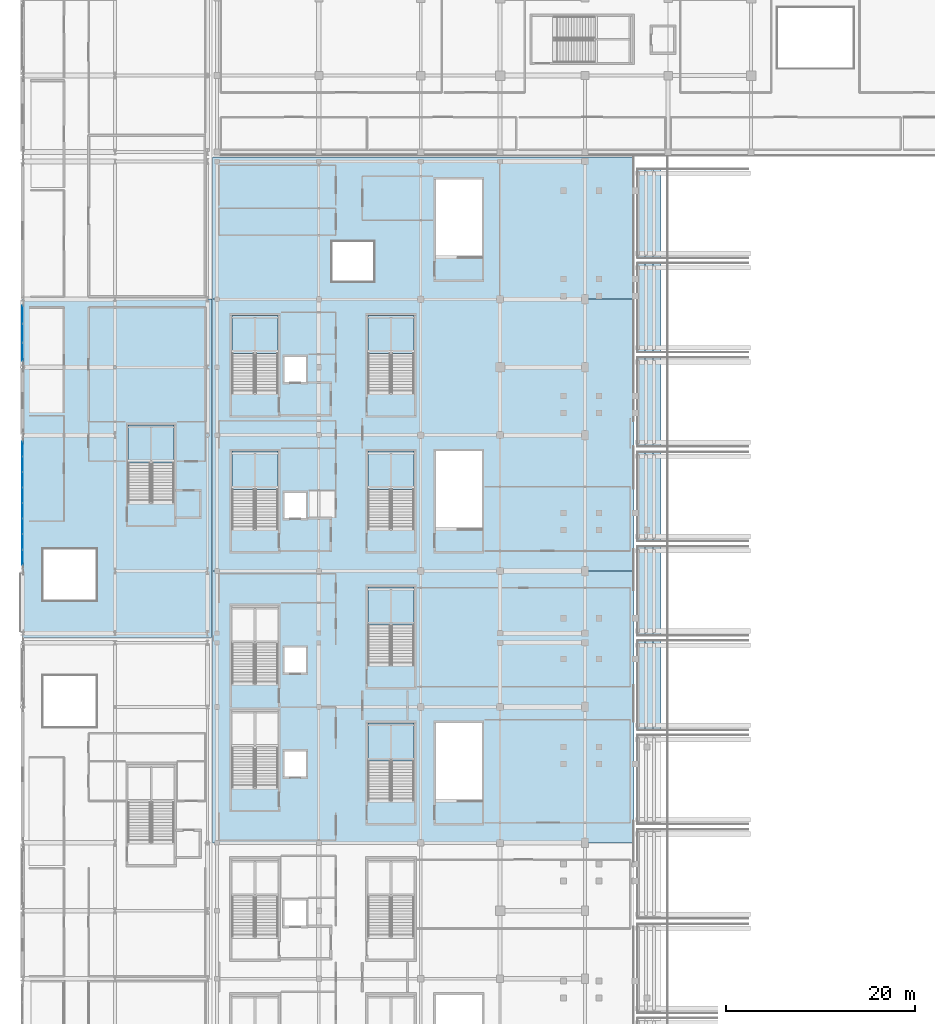
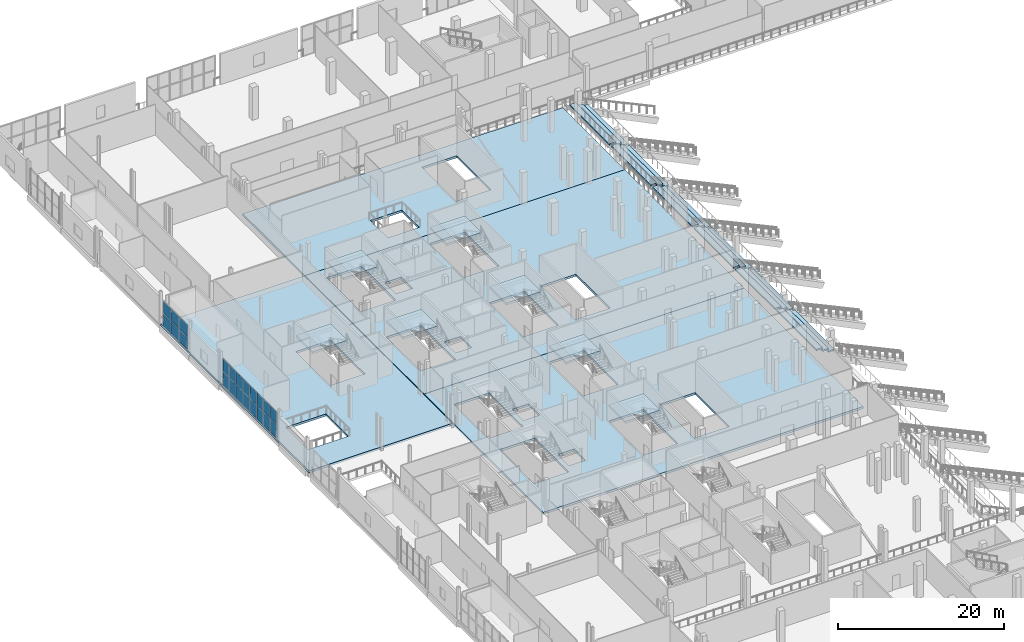
# One storey, part 62 of 129: 29 slabs, 22 plates, 9 elements without a shape of their own.
"""IFC4 building model written with IfcOpenShell, lengths in metres."""

from ifc_helpers import new_model, si_unit, direction, frame, origin, origin_2d, place, context, subcontext, project, spatial, polyline, rectangle, outline, extrude, material, layer, layer_set, type_object, element, aggregate, save


model = new_model("IFC4")

# Units and contexts
model_context = context("Model", 3, precision=1e-05, world=origin(), true_north=direction((0.0, 1.0)))
body_context = subcontext(model_context, "Body", "Model", "MODEL_VIEW")
ifc_project = project(units=[si_unit("LENGTHUNIT", "METRE"), si_unit("AREAUNIT", "SQUARE_METRE"), si_unit("VOLUMEUNIT", "CUBIC_METRE"), si_unit("PLANEANGLEUNIT", "RADIAN"), si_unit("MASSUNIT", "GRAM", prefix="KILO")], contexts=[model_context])

# Site, building, storey
site_placement = place(None, origin())
site = spatial("IfcSite", under=ifc_project, at=site_placement, CompositionType="ELEMENT")
building_placement = place(site_placement, origin())
building = spatial("IfcBuilding", under=site, at=building_placement, Name="Koshinbarg Plaza Stadium", CompositionType="ELEMENT")
storey_placement = place(building_placement, frame((0.0, 0.0, 5.39990234375)))
storey = spatial("IfcBuildingStorey", under=building, at=storey_placement, Name="L01", CompositionType="ELEMENT", Elevation=5.39990234375)

# Curtain wall, plates
ifc_material_1 = material(Name="Thermally broken anodised aluminium and low-E double glazing", Category="aluminium")
curtain_wall_type_1 = type_object("IfcCurtainWallType", Name="CW-SYS-07", PredefinedType="NOTDEFINED", material=ifc_material_1)
curtain_wall_1_placement = place(storey_placement, origin())
curtain_wall_1 = element("IfcCurtainWall", 1, at=curtain_wall_1_placement, inside=storey, type_object=curtain_wall_type_1, Name="L01 unitised curtain wall CW-L01-006", PredefinedType="NOTDEFINED")
ifc_material_2 = material(Name="Solar-control low-E double glazing unit", Category="glass")
ifc_layer_1 = layer(ifc_material_2, 0.028076171875)
ifc_layer_set_1 = layer_set([ifc_layer_1], Name="Solar-control low-E double glazing unit")
plate_type_1 = type_object("IfcPlateType", Name="CW-PNL-28", PredefinedType="CURTAIN_PANEL", material=ifc_layer_set_1)
plate_1_placement = place(storey_placement, frame((4.0, 84.5576171875, 0.06005859375), z_axis=(0.0, 0.0, 1.0), x_axis=(0.0, 1.0, 0.0)))
plate_1 = element("IfcPlate", 2, at=plate_1_placement, type_object=plate_type_1, Name="CW07 panel 1.1", PredefinedType="CURTAIN_PANEL", context=body_context, shape_type="SweptSolid", body=[
    extrude(rectangle(XDim=1.554931640625, YDim=0.028076171875, at=origin_2d()), origin(), (0.0, 0.0, 1.0), 2.005615234375),
])
plate_2_placement = place(storey_placement, frame((4.0, 84.5576171875, 2.12548828125), z_axis=(0.0, 0.0, 1.0), x_axis=(0.0, 1.0, 0.0)))
plate_2 = element("IfcPlate", 3, at=plate_2_placement, type_object=plate_type_1, Name="CW07 panel 1.2", PredefinedType="CURTAIN_PANEL", context=body_context, shape_type="SweptSolid", body=[
    extrude(rectangle(XDim=1.554931640625, YDim=0.028076171875, at=origin_2d()), origin(), (0.0, 0.0, 1.0), 1.844482421875),
])
plate_3_placement = place(storey_placement, frame((4.0, 86.1875, 0.06005859375), z_axis=(0.0, 0.0, 1.0), x_axis=(0.0, 1.0, 0.0)))
plate_3 = element("IfcPlate", 4, at=plate_3_placement, type_object=plate_type_1, Name="CW07 panel 2.1", PredefinedType="CURTAIN_PANEL", context=body_context, shape_type="SweptSolid", body=[
    extrude(rectangle(XDim=1.5849609375, YDim=0.028076171875, at=origin_2d()), origin(), (0.0, 0.0, 1.0), 2.005615234375),
])
plate_4_placement = place(storey_placement, frame((4.0, 86.1875, 2.12548828125), z_axis=(0.0, 0.0, 1.0), x_axis=(0.0, 1.0, 0.0)))
plate_4 = element("IfcPlate", 5, at=plate_4_placement, type_object=plate_type_1, Name="CW07 panel 2.2", PredefinedType="CURTAIN_PANEL", context=body_context, shape_type="SweptSolid", body=[
    extrude(rectangle(XDim=1.5849609375, YDim=0.028076171875, at=origin_2d()), origin(), (0.0, 0.0, 1.0), 1.844482421875),
])
plate_5_placement = place(storey_placement, frame((4.0, 87.83251953125, 0.06005859375), z_axis=(0.0, 0.0, 1.0), x_axis=(0.0, 1.0, 0.0)))
plate_5 = element("IfcPlate", 6, at=plate_5_placement, type_object=plate_type_1, Name="CW07 panel 3.1", PredefinedType="CURTAIN_PANEL", context=body_context, shape_type="SweptSolid", body=[
    extrude(rectangle(XDim=1.5849609375, YDim=0.028076171875, at=origin_2d()), origin(), (0.0, 0.0, 1.0), 2.005615234375),
])
plate_6_placement = place(storey_placement, frame((4.0, 87.83251953125, 2.12548828125), z_axis=(0.0, 0.0, 1.0), x_axis=(0.0, 1.0, 0.0)))
plate_6 = element("IfcPlate", 7, at=plate_6_placement, type_object=plate_type_1, Name="CW07 panel 3.2", PredefinedType="CURTAIN_PANEL", context=body_context, shape_type="SweptSolid", body=[
    extrude(rectangle(XDim=1.5849609375, YDim=0.028076171875, at=origin_2d()), origin(), (0.0, 0.0, 1.0), 1.844482421875),
])
plate_7_placement = place(storey_placement, frame((4.0, 89.4775390625, 0.06005859375), z_axis=(0.0, 0.0, 1.0), x_axis=(0.0, 1.0, 0.0)))
plate_7 = element("IfcPlate", 8, at=plate_7_placement, type_object=plate_type_1, Name="CW07 panel 4.1", PredefinedType="CURTAIN_PANEL", context=body_context, shape_type="SweptSolid", body=[
    extrude(rectangle(XDim=1.5849609375, YDim=0.028076171875, at=origin_2d()), origin(), (0.0, 0.0, 1.0), 2.005615234375),
])
plate_8_placement = place(storey_placement, frame((4.0, 89.4775390625, 2.12548828125), z_axis=(0.0, 0.0, 1.0), x_axis=(0.0, 1.0, 0.0)))
plate_8 = element("IfcPlate", 9, at=plate_8_placement, type_object=plate_type_1, Name="CW07 panel 4.2", PredefinedType="CURTAIN_PANEL", context=body_context, shape_type="SweptSolid", body=[
    extrude(rectangle(XDim=1.5849609375, YDim=0.028076171875, at=origin_2d()), origin(), (0.0, 0.0, 1.0), 1.844482421875),
])
plate_9_placement = place(storey_placement, frame((4.0, 91.12255859375, 0.06005859375), z_axis=(0.0, 0.0, 1.0), x_axis=(0.0, 1.0, 0.0)))
plate_9 = element("IfcPlate", 10, at=plate_9_placement, type_object=plate_type_1, Name="CW07 panel 5.1", PredefinedType="CURTAIN_PANEL", context=body_context, shape_type="SweptSolid", body=[
    extrude(rectangle(XDim=1.5849609375, YDim=0.028076171875, at=origin_2d()), origin(), (0.0, 0.0, 1.0), 2.005615234375),
])
plate_10_placement = place(storey_placement, frame((4.0, 91.12255859375, 2.12548828125), z_axis=(0.0, 0.0, 1.0), x_axis=(0.0, 1.0, 0.0)))
plate_10 = element("IfcPlate", 11, at=plate_10_placement, type_object=plate_type_1, Name="CW07 panel 5.2", PredefinedType="CURTAIN_PANEL", context=body_context, shape_type="SweptSolid", body=[
    extrude(rectangle(XDim=1.5849609375, YDim=0.028076171875, at=origin_2d()), origin(), (0.0, 0.0, 1.0), 1.844482421875),
])
plate_11_placement = place(storey_placement, frame((4.0, 92.767578125, 0.06005859375), z_axis=(0.0, 0.0, 1.0), x_axis=(0.0, 1.0, 0.0)))
plate_11 = element("IfcPlate", 12, at=plate_11_placement, type_object=plate_type_1, Name="CW07 panel 6.1", PredefinedType="CURTAIN_PANEL", context=body_context, shape_type="SweptSolid", body=[
    extrude(rectangle(XDim=1.5849609375, YDim=0.028076171875, at=origin_2d()), origin(), (0.0, 0.0, 1.0), 2.005615234375),
])
plate_12_placement = place(storey_placement, frame((4.0, 92.767578125, 2.12548828125), z_axis=(0.0, 0.0, 1.0), x_axis=(0.0, 1.0, 0.0)))
plate_12 = element("IfcPlate", 13, at=plate_12_placement, type_object=plate_type_1, Name="CW07 panel 6.2", PredefinedType="CURTAIN_PANEL", context=body_context, shape_type="SweptSolid", body=[
    extrude(rectangle(XDim=1.5849609375, YDim=0.028076171875, at=origin_2d()), origin(), (0.0, 0.0, 1.0), 1.844482421875),
])
plate_13_placement = place(storey_placement, frame((4.0, 94.41259765625, 0.06005859375), z_axis=(0.0, 0.0, 1.0), x_axis=(0.0, 1.0, 0.0)))
plate_13 = element("IfcPlate", 14, at=plate_13_placement, type_object=plate_type_1, Name="CW07 panel 7.1", PredefinedType="CURTAIN_PANEL", context=body_context, shape_type="SweptSolid", body=[
    extrude(rectangle(XDim=1.5849609375, YDim=0.028076171875, at=origin_2d()), origin(), (0.0, 0.0, 1.0), 2.005615234375),
])
plate_14_placement = place(storey_placement, frame((4.0, 94.41259765625, 2.12548828125), z_axis=(0.0, 0.0, 1.0), x_axis=(0.0, 1.0, 0.0)))
plate_14 = element("IfcPlate", 15, at=plate_14_placement, type_object=plate_type_1, Name="CW07 panel 7.2", PredefinedType="CURTAIN_PANEL", context=body_context, shape_type="SweptSolid", body=[
    extrude(rectangle(XDim=1.5849609375, YDim=0.028076171875, at=origin_2d()), origin(), (0.0, 0.0, 1.0), 1.844482421875),
])
plate_15_placement = place(storey_placement, frame((4.0, 96.04248046875, 0.06005859375), z_axis=(0.0, 0.0, 1.0), x_axis=(0.0, 1.0, 0.0)))
plate_15 = element("IfcPlate", 16, at=plate_15_placement, type_object=plate_type_1, Name="CW07 panel 8.1", PredefinedType="CURTAIN_PANEL", context=body_context, shape_type="SweptSolid", body=[
    extrude(rectangle(XDim=1.554931640625, YDim=0.028076171875, at=origin_2d()), origin(), (0.0, 0.0, 1.0), 2.005615234375),
])
plate_16_placement = place(storey_placement, frame((4.0, 96.04248046875, 2.12548828125), z_axis=(0.0, 0.0, 1.0), x_axis=(0.0, 1.0, 0.0)))
plate_16 = element("IfcPlate", 17, at=plate_16_placement, type_object=plate_type_1, Name="CW07 panel 8.2", PredefinedType="CURTAIN_PANEL", context=body_context, shape_type="SweptSolid", body=[
    extrude(rectangle(XDim=1.554931640625, YDim=0.028076171875, at=origin_2d()), origin(), (0.0, 0.0, 1.0), 1.844482421875),
])
aggregate(curtain_wall_1, [plate_1, plate_2, plate_3, plate_4, plate_5, plate_6, plate_7, plate_8, plate_9, plate_10, plate_11, plate_12, plate_13, plate_14, plate_15, plate_16])

curtain_wall_type_2 = type_object("IfcCurtainWallType", Name="CW-SYS-08", PredefinedType="NOTDEFINED", material=ifc_material_1)
curtain_wall_2_placement = place(storey_placement, origin())
curtain_wall_2 = element("IfcCurtainWall", 18, at=curtain_wall_2_placement, inside=storey, type_object=curtain_wall_type_2, Name="L01 unitised curtain wall CW-L01-007", PredefinedType="NOTDEFINED")
ifc_material_3 = material(Name="Acoustic solar-control double glazing unit", Category="glass")
ifc_layer_2 = layer(ifc_material_3, 0.031982421875)
ifc_layer_set_2 = layer_set([ifc_layer_2], Name="Acoustic solar-control double glazing unit")
plate_type_2 = type_object("IfcPlateType", Name="CW-PNL-32", PredefinedType="CURTAIN_PANEL", material=ifc_layer_set_2)
plate_17_placement = place(storey_placement, frame((4.0, 106.328369140625, 0.06005859375), z_axis=(0.0, 0.0, 1.0), x_axis=(0.0, 1.0, 0.0)))
plate_17 = element("IfcPlate", 19, at=plate_17_placement, type_object=plate_type_2, Name="CW08 panel 1.1", PredefinedType="CURTAIN_PANEL", context=body_context, shape_type="SweptSolid", body=[
    extrude(rectangle(XDim=1.896728515625, YDim=0.031982421875, at=origin_2d()), origin(), (0.0, 0.0, 1.0), 1.87548828125),
])
plate_18_placement = place(storey_placement, frame((4.0, 106.328369140625, 1.99560546875), z_axis=(0.0, 0.0, 1.0), x_axis=(0.0, 1.0, 0.0)))
plate_18 = element("IfcPlate", 20, at=plate_18_placement, type_object=plate_type_2, Name="CW08 panel 1.2", PredefinedType="CURTAIN_PANEL", context=body_context, shape_type="SweptSolid", body=[
    extrude(rectangle(XDim=1.896728515625, YDim=0.031982421875, at=origin_2d()), origin(), (0.0, 0.0, 1.0), 1.724365234375),
])
plate_19_placement = place(storey_placement, frame((4.0, 108.300048828125, 0.06005859375), z_axis=(0.0, 0.0, 1.0), x_axis=(0.0, 1.0, 0.0)))
plate_19 = element("IfcPlate", 21, at=plate_19_placement, type_object=plate_type_2, Name="CW08 panel 2.1", PredefinedType="CURTAIN_PANEL", context=body_context, shape_type="SweptSolid", body=[
    extrude(rectangle(XDim=1.9267578125, YDim=0.031982421875, at=origin_2d()), origin(), (0.0, 0.0, 1.0), 1.87548828125),
])
plate_20_placement = place(storey_placement, frame((4.0, 108.300048828125, 1.99560546875), z_axis=(0.0, 0.0, 1.0), x_axis=(0.0, 1.0, 0.0)))
plate_20 = element("IfcPlate", 22, at=plate_20_placement, type_object=plate_type_2, Name="CW08 panel 2.2", PredefinedType="CURTAIN_PANEL", context=body_context, shape_type="SweptSolid", body=[
    extrude(rectangle(XDim=1.9267578125, YDim=0.031982421875, at=origin_2d()), origin(), (0.0, 0.0, 1.0), 1.724365234375),
])
plate_21_placement = place(storey_placement, frame((4.0, 110.271728515625, 0.06005859375), z_axis=(0.0, 0.0, 1.0), x_axis=(0.0, 1.0, 0.0)))
plate_21 = element("IfcPlate", 23, at=plate_21_placement, type_object=plate_type_2, Name="CW08 panel 3.1", PredefinedType="CURTAIN_PANEL", context=body_context, shape_type="SweptSolid", body=[
    extrude(rectangle(XDim=1.896728515625, YDim=0.031982421875, at=origin_2d()), origin(), (0.0, 0.0, 1.0), 1.87548828125),
])
plate_22_placement = place(storey_placement, frame((4.0, 110.271728515625, 1.99560546875), z_axis=(0.0, 0.0, 1.0), x_axis=(0.0, 1.0, 0.0)))
plate_22 = element("IfcPlate", 24, at=plate_22_placement, type_object=plate_type_2, Name="CW08 panel 3.2", PredefinedType="CURTAIN_PANEL", context=body_context, shape_type="SweptSolid", body=[
    extrude(rectangle(XDim=1.896728515625, YDim=0.031982421875, at=origin_2d()), origin(), (0.0, 0.0, 1.0), 1.724365234375),
])
aggregate(curtain_wall_2, [plate_17, plate_18, plate_19, plate_20, plate_21, plate_22])

# Slabs
ifc_material_4 = material(Name="Concrete C35/45", Category="concrete")
ifc_layer_3 = layer(ifc_material_4, 0.320068359375)
ifc_layer_set_3 = layer_set([ifc_layer_3], Name="Concrete C35/45")
slab_type_1 = type_object("IfcSlabType", Name="SL-FLR-320", PredefinedType="FLOOR", material=ifc_layer_set_3)
slab_1_placement = place(storey_placement, frame((0.0, 0.0, -0.31982421875)))
element("IfcSlab", 25, at=slab_1_placement, inside=storey, type_object=slab_type_1, Name="L01 V1 structural slab 2", PredefinedType="FLOOR", context=body_context, shape_type="SweptSolid", body=[
    extrude(outline(polyline([(24.14501953125, 54.300048828125), (68.800048828125, 54.300048828125), (68.800048828125, 83.10009765625), (24.14501953125, 83.10009765625), (24.14501953125, 54.300048828125)]), holes=[polyline([(31.070068359375, 60.159912109375), (31.070068359375, 68.39990234375), (26.199951171875, 68.39990234375), (26.199951171875, 60.159912109375), (31.070068359375, 60.159912109375)]), polyline([(31.75, 61.300048828125), (34.050048828125, 61.300048828125), (34.050048828125, 64.0), (31.75, 64.0), (31.75, 61.300048828125)]), polyline([(31.070068359375, 71.159912109375), (31.070068359375, 79.39990234375), (26.199951171875, 79.39990234375), (26.199951171875, 71.159912109375), (31.070068359375, 71.159912109375)]), polyline([(31.75, 72.300048828125), (34.050048828125, 72.300048828125), (34.050048828125, 75.0), (31.75, 75.0), (31.75, 72.300048828125)]), polyline([(45.469970703125, 58.760009765625), (45.469970703125, 67.0), (40.60009765625, 67.0), (40.60009765625, 58.760009765625), (45.469970703125, 58.760009765625)]), polyline([(45.469970703125, 73.159912109375), (45.469970703125, 81.39990234375), (40.60009765625, 81.39990234375), (40.60009765625, 73.159912109375), (45.469970703125, 73.159912109375)]), polyline([(52.669921875, 58.760009765625), (52.669921875, 67.0), (47.800048828125, 67.0), (47.800048828125, 58.760009765625), (52.669921875, 58.760009765625)])]), origin(), (0.0, 0.0, 1.0), 0.31982421875),
])
slab_2_placement = place(storey_placement, frame((0.0, 0.0, -0.31982421875)))
element("IfcSlab", 26, at=slab_2_placement, inside=storey, type_object=slab_type_1, Name="L01 V1 structural slab 3", PredefinedType="FLOOR", context=body_context, shape_type="SweptSolid", body=[
    extrude(outline(polyline([(24.14501953125, 83.10009765625), (68.800048828125, 83.10009765625), (68.800048828125, 111.89990234375), (24.14501953125, 111.89990234375), (24.14501953125, 83.10009765625)]), holes=[polyline([(31.070068359375, 87.56005859375), (31.070068359375, 95.800048828125), (26.199951171875, 95.800048828125), (26.199951171875, 87.56005859375), (31.070068359375, 87.56005859375)]), polyline([(31.75, 88.699951171875), (34.050048828125, 88.699951171875), (34.050048828125, 91.39990234375), (31.75, 91.39990234375), (31.75, 88.699951171875)]), polyline([(31.070068359375, 101.9599609375), (31.070068359375, 110.199951171875), (26.199951171875, 110.199951171875), (26.199951171875, 101.9599609375), (31.070068359375, 101.9599609375)]), polyline([(31.75, 103.10009765625), (34.050048828125, 103.10009765625), (34.050048828125, 105.800048828125), (31.75, 105.800048828125), (31.75, 103.10009765625)]), polyline([(45.469970703125, 87.56005859375), (45.469970703125, 95.800048828125), (40.60009765625, 95.800048828125), (40.60009765625, 87.56005859375), (45.469970703125, 87.56005859375)]), polyline([(45.469970703125, 101.9599609375), (45.469970703125, 110.199951171875), (40.60009765625, 110.199951171875), (40.60009765625, 101.9599609375), (45.469970703125, 101.9599609375)]), polyline([(52.669921875, 87.56005859375), (52.669921875, 95.800048828125), (47.800048828125, 95.800048828125), (47.800048828125, 87.56005859375), (52.669921875, 87.56005859375)])]), origin(), (0.0, 0.0, 1.0), 0.31982421875),
])
slab_3_placement = place(storey_placement, frame((0.0, 0.0, -0.31982421875)))
element("IfcSlab", 27, at=slab_3_placement, inside=storey, type_object=slab_type_1, Name="L01 V1 structural slab 4", PredefinedType="FLOOR", context=body_context, shape_type="SweptSolid", body=[
    extrude(outline(polyline([(24.14501953125, 111.89990234375), (68.800048828125, 111.89990234375), (68.800048828125, 126.955078125), (24.14501953125, 126.955078125), (24.14501953125, 111.89990234375)]), holes=[polyline([(52.669921875, 116.360107421875), (52.669921875, 124.60009765625), (47.800048828125, 124.60009765625), (47.800048828125, 116.360107421875), (52.669921875, 116.360107421875)]), polyline([(36.800048828125, 113.800048828125), (41.199951171875, 113.800048828125), (41.199951171875, 118.0), (36.800048828125, 118.0), (36.800048828125, 113.800048828125)])]), origin(), (0.0, 0.0, 1.0), 0.31982421875),
])
slab_4_placement = place(storey_placement, frame((0.0, 0.0, -0.31982421875)))
element("IfcSlab", 28, at=slab_4_placement, inside=storey, type_object=slab_type_1, Name="L01 V5 structural slab 19", PredefinedType="FLOOR", context=body_context, shape_type="SweptSolid", body=[
    extrude(outline(polyline([(4.0, 76.044921875), (24.054931640625, 76.044921875), (24.054931640625, 111.89990234375), (4.0, 111.89990234375), (4.0, 76.044921875)]), holes=[polyline([(20.070068359375, 90.360107421875), (20.070068359375, 98.60009765625), (15.199951171875, 98.60009765625), (15.199951171875, 90.360107421875), (20.070068359375, 90.360107421875)]), polyline([(6.199951171875, 80.0), (11.800048828125, 80.0), (11.800048828125, 85.39990234375), (6.199951171875, 85.39990234375), (6.199951171875, 80.0)])]), origin(), (0.0, 0.0, 1.0), 0.31982421875),
])

# Stair, slab
stair_type_1 = type_object("IfcStairType", Name="ST-CORE-48", PredefinedType="HALF_TURN_STAIR", material=ifc_material_4)
stair_1_placement = place(storey_placement, origin())
stair_1 = element("IfcStair", 29, at=stair_1_placement, inside=storey, type_object=stair_type_1, Name="L01 Protected Exit Stair C05", PredefinedType="HALF_TURN_STAIR")
ifc_layer_4 = layer(ifc_material_4, 0.320068359375)
ifc_layer_set_4 = layer_set([ifc_layer_4], Name="Concrete C35/45")
slab_type_2 = type_object("IfcSlabType", Name="SL-STLAND-280", PredefinedType="LANDING", material=ifc_layer_set_4)
slab_5_placement = place(storey_placement, frame((0.0, 0.0, 2.080078125)))
slab_5 = element("IfcSlab", 30, at=slab_5_placement, type_object=slab_type_2, Name="L01 Protected Exit Stair C05 landing 026", PredefinedType="LANDING", context=body_context, shape_type="SweptSolid", body=[
    extrude(outline(polyline([(31.070068359375, 91.760009765625), (31.070068359375, 95.800048828125), (26.199951171875, 95.800048828125), (26.199951171875, 91.760009765625), (31.070068359375, 91.760009765625)])), origin(), (0.0, 0.0, 1.0), 0.320068359375),
])
aggregate(stair_1, [slab_5])

stair_2_placement = place(storey_placement, origin())
stair_2 = element("IfcStair", 31, at=stair_2_placement, inside=storey, type_object=stair_type_1, Name="L01 Protected Exit Stair C06", PredefinedType="HALF_TURN_STAIR")
slab_6_placement = place(storey_placement, frame((0.0, 0.0, 2.080078125)))
slab_6 = element("IfcSlab", 32, at=slab_6_placement, type_object=slab_type_2, Name="L01 Protected Exit Stair C06 landing 032", PredefinedType="LANDING", context=body_context, shape_type="SweptSolid", body=[
    extrude(outline(polyline([(31.070068359375, 106.159912109375), (31.070068359375, 110.199951171875), (26.199951171875, 110.199951171875), (26.199951171875, 106.159912109375), (31.070068359375, 106.159912109375)])), origin(), (0.0, 0.0, 1.0), 0.320068359375),
])
aggregate(stair_2, [slab_6])

stair_3_placement = place(storey_placement, origin())
stair_3 = element("IfcStair", 33, at=stair_3_placement, inside=storey, type_object=stair_type_1, Name="L01 Protected Exit Stair C15", PredefinedType="HALF_TURN_STAIR")
slab_7_placement = place(storey_placement, frame((0.0, 0.0, 2.080078125)))
slab_7 = element("IfcSlab", 34, at=slab_7_placement, type_object=slab_type_2, Name="L01 Protected Exit Stair C15 landing 072", PredefinedType="LANDING", context=body_context, shape_type="SweptSolid", body=[
    extrude(outline(polyline([(20.070068359375, 94.56005859375), (20.070068359375, 98.60009765625), (15.199951171875, 98.60009765625), (15.199951171875, 94.56005859375), (20.070068359375, 94.56005859375)])), origin(), (0.0, 0.0, 1.0), 0.320068359375),
])
aggregate(stair_3, [slab_7])

stair_type_2 = type_object("IfcStairType", Name="ST-VOM-48", PredefinedType="HALF_TURN_STAIR", material=ifc_material_4)
stair_4_placement = place(storey_placement, origin())
stair_4 = element("IfcStair", 35, at=stair_4_placement, inside=storey, type_object=stair_type_2, Name="L01 Upper Vomitory Stair VX03", PredefinedType="HALF_TURN_STAIR")
slab_8_placement = place(storey_placement, frame((0.0, 0.0, 2.080078125)))
slab_8 = element("IfcSlab", 36, at=slab_8_placement, type_object=slab_type_2, Name="L01 Upper Vomitory Stair VX03 landing 082", PredefinedType="LANDING", context=body_context, shape_type="SweptSolid", body=[
    extrude(outline(polyline([(45.469970703125, 62.9599609375), (45.469970703125, 67.0), (40.60009765625, 67.0), (40.60009765625, 62.9599609375), (45.469970703125, 62.9599609375)])), origin(), (0.0, 0.0, 1.0), 0.320068359375),
])
aggregate(stair_4, [slab_8])

stair_5_placement = place(storey_placement, origin())
stair_5 = element("IfcStair", 37, at=stair_5_placement, inside=storey, type_object=stair_type_2, Name="L01 Upper Vomitory Stair VX04", PredefinedType="HALF_TURN_STAIR")
slab_9_placement = place(storey_placement, frame((0.0, 0.0, 2.080078125)))
slab_9 = element("IfcSlab", 38, at=slab_9_placement, type_object=slab_type_2, Name="L01 Upper Vomitory Stair VX04 landing 085", PredefinedType="LANDING", context=body_context, shape_type="SweptSolid", body=[
    extrude(outline(polyline([(45.469970703125, 77.360107421875), (45.469970703125, 81.39990234375), (40.60009765625, 81.39990234375), (40.60009765625, 77.360107421875), (45.469970703125, 77.360107421875)])), origin(), (0.0, 0.0, 1.0), 0.320068359375),
])
aggregate(stair_5, [slab_9])

stair_6_placement = place(storey_placement, origin())
stair_6 = element("IfcStair", 39, at=stair_6_placement, inside=storey, type_object=stair_type_2, Name="L01 Upper Vomitory Stair VX05", PredefinedType="HALF_TURN_STAIR")
slab_10_placement = place(storey_placement, frame((0.0, 0.0, 2.080078125)))
slab_10 = element("IfcSlab", 40, at=slab_10_placement, type_object=slab_type_2, Name="L01 Upper Vomitory Stair VX05 landing 088", PredefinedType="LANDING", context=body_context, shape_type="SweptSolid", body=[
    extrude(outline(polyline([(45.469970703125, 91.760009765625), (45.469970703125, 95.800048828125), (40.60009765625, 95.800048828125), (40.60009765625, 91.760009765625), (45.469970703125, 91.760009765625)])), origin(), (0.0, 0.0, 1.0), 0.320068359375),
])
aggregate(stair_6, [slab_10])

stair_7_placement = place(storey_placement, origin())
stair_7 = element("IfcStair", 41, at=stair_7_placement, inside=storey, type_object=stair_type_2, Name="L01 Upper Vomitory Stair VX06", PredefinedType="HALF_TURN_STAIR")
slab_11_placement = place(storey_placement, frame((0.0, 0.0, 2.080078125)))
slab_11 = element("IfcSlab", 42, at=slab_11_placement, type_object=slab_type_2, Name="L01 Upper Vomitory Stair VX06 landing 091", PredefinedType="LANDING", context=body_context, shape_type="SweptSolid", body=[
    extrude(outline(polyline([(45.469970703125, 106.159912109375), (45.469970703125, 110.199951171875), (40.60009765625, 110.199951171875), (40.60009765625, 106.159912109375), (45.469970703125, 106.159912109375)])), origin(), (0.0, 0.0, 1.0), 0.320068359375),
])
aggregate(stair_7, [slab_11])

# Slabs
ifc_material_5 = material(Name="Precast concrete C40/50", Category="concrete")
ifc_layer_5 = layer(ifc_material_5, 0.219970703125)
ifc_layer_set_5 = layer_set([ifc_layer_5], Name="Precast concrete C40/50")
slab_type_3 = type_object("IfcSlabType", Name="SL-TIER-LT", PredefinedType="USERDEFINED", material=ifc_layer_set_5)
slab_12_placement = place(storey_placement, frame((0.0, 0.0, 0.02001953125)))
element("IfcSlab", 43, at=slab_12_placement, inside=storey, type_object=slab_type_3, Name="Stand lower seating tier LT-W05 row 12", ObjectType="SEATING TIER", PredefinedType="USERDEFINED", context=body_context, shape_type="SweptSolid", body=[
    extrude(outline(polyline([(70.800048828125, 66.199951171875), (71.64990234375, 66.199951171875), (71.64990234375, 75.800048828125), (70.800048828125, 75.800048828125), (70.800048828125, 66.199951171875)])), origin(), (0.0, 0.0, 1.0), 0.219970703125),
])
slab_13_placement = place(storey_placement, frame((0.0, 0.0, 0.440185546875)))
element("IfcSlab", 44, at=slab_13_placement, inside=storey, type_object=slab_type_3, Name="Stand lower seating tier LT-W05 row 13", ObjectType="SEATING TIER", PredefinedType="USERDEFINED", context=body_context, shape_type="SweptSolid", body=[
    extrude(outline(polyline([(69.949951171875, 66.199951171875), (70.800048828125, 66.199951171875), (70.800048828125, 75.800048828125), (69.949951171875, 75.800048828125), (69.949951171875, 66.199951171875)])), origin(), (0.0, 0.0, 1.0), 0.219970703125),
])
slab_14_placement = place(storey_placement, frame((0.0, 0.0, 0.860107421875)))
element("IfcSlab", 45, at=slab_14_placement, inside=storey, type_object=slab_type_3, Name="Stand lower seating tier LT-W05 row 14", ObjectType="SEATING TIER", PredefinedType="USERDEFINED", context=body_context, shape_type="SweptSolid", body=[
    extrude(outline(polyline([(69.10009765625, 66.199951171875), (69.949951171875, 66.199951171875), (69.949951171875, 75.800048828125), (69.10009765625, 75.800048828125), (69.10009765625, 66.199951171875)])), origin(), (0.0, 0.0, 1.0), 0.219970703125),
])
slab_15_placement = place(storey_placement, frame((0.0, 0.0, 0.02001953125)))
element("IfcSlab", 46, at=slab_15_placement, inside=storey, type_object=slab_type_3, Name="Stand lower seating tier LT-W06 row 12", ObjectType="SEATING TIER", PredefinedType="USERDEFINED", context=body_context, shape_type="SweptSolid", body=[
    extrude(outline(polyline([(70.800048828125, 76.199951171875), (71.64990234375, 76.199951171875), (71.64990234375, 85.800048828125), (70.800048828125, 85.800048828125), (70.800048828125, 76.199951171875)])), origin(), (0.0, 0.0, 1.0), 0.219970703125),
])
slab_16_placement = place(storey_placement, frame((0.0, 0.0, 0.440185546875)))
element("IfcSlab", 47, at=slab_16_placement, inside=storey, type_object=slab_type_3, Name="Stand lower seating tier LT-W06 row 13", ObjectType="SEATING TIER", PredefinedType="USERDEFINED", context=body_context, shape_type="SweptSolid", body=[
    extrude(outline(polyline([(69.949951171875, 76.199951171875), (70.800048828125, 76.199951171875), (70.800048828125, 85.800048828125), (69.949951171875, 85.800048828125), (69.949951171875, 76.199951171875)])), origin(), (0.0, 0.0, 1.0), 0.219970703125),
])
slab_17_placement = place(storey_placement, frame((0.0, 0.0, 0.860107421875)))
element("IfcSlab", 48, at=slab_17_placement, inside=storey, type_object=slab_type_3, Name="Stand lower seating tier LT-W06 row 14", ObjectType="SEATING TIER", PredefinedType="USERDEFINED", context=body_context, shape_type="SweptSolid", body=[
    extrude(outline(polyline([(69.10009765625, 76.199951171875), (69.949951171875, 76.199951171875), (69.949951171875, 85.800048828125), (69.10009765625, 85.800048828125), (69.10009765625, 76.199951171875)])), origin(), (0.0, 0.0, 1.0), 0.219970703125),
])
slab_18_placement = place(storey_placement, frame((0.0, 0.0, 0.02001953125)))
element("IfcSlab", 49, at=slab_18_placement, inside=storey, type_object=slab_type_3, Name="Stand lower seating tier LT-W07 row 12", ObjectType="SEATING TIER", PredefinedType="USERDEFINED", context=body_context, shape_type="SweptSolid", body=[
    extrude(outline(polyline([(70.800048828125, 86.199951171875), (71.64990234375, 86.199951171875), (71.64990234375, 95.800048828125), (70.800048828125, 95.800048828125), (70.800048828125, 86.199951171875)])), origin(), (0.0, 0.0, 1.0), 0.219970703125),
])
slab_19_placement = place(storey_placement, frame((0.0, 0.0, 0.440185546875)))
element("IfcSlab", 50, at=slab_19_placement, inside=storey, type_object=slab_type_3, Name="Stand lower seating tier LT-W07 row 13", ObjectType="SEATING TIER", PredefinedType="USERDEFINED", context=body_context, shape_type="SweptSolid", body=[
    extrude(outline(polyline([(69.949951171875, 86.199951171875), (70.800048828125, 86.199951171875), (70.800048828125, 95.800048828125), (69.949951171875, 95.800048828125), (69.949951171875, 86.199951171875)])), origin(), (0.0, 0.0, 1.0), 0.219970703125),
])
slab_20_placement = place(storey_placement, frame((0.0, 0.0, 0.860107421875)))
element("IfcSlab", 51, at=slab_20_placement, inside=storey, type_object=slab_type_3, Name="Stand lower seating tier LT-W07 row 14", ObjectType="SEATING TIER", PredefinedType="USERDEFINED", context=body_context, shape_type="SweptSolid", body=[
    extrude(outline(polyline([(69.10009765625, 86.199951171875), (69.949951171875, 86.199951171875), (69.949951171875, 95.800048828125), (69.10009765625, 95.800048828125), (69.10009765625, 86.199951171875)])), origin(), (0.0, 0.0, 1.0), 0.219970703125),
])
slab_21_placement = place(storey_placement, frame((0.0, 0.0, 0.02001953125)))
element("IfcSlab", 52, at=slab_21_placement, inside=storey, type_object=slab_type_3, Name="Stand lower seating tier LT-W08 row 12", ObjectType="SEATING TIER", PredefinedType="USERDEFINED", context=body_context, shape_type="SweptSolid", body=[
    extrude(outline(polyline([(70.800048828125, 96.199951171875), (71.64990234375, 96.199951171875), (71.64990234375, 105.800048828125), (70.800048828125, 105.800048828125), (70.800048828125, 96.199951171875)])), origin(), (0.0, 0.0, 1.0), 0.219970703125),
])
slab_22_placement = place(storey_placement, frame((0.0, 0.0, 0.440185546875)))
element("IfcSlab", 53, at=slab_22_placement, inside=storey, type_object=slab_type_3, Name="Stand lower seating tier LT-W08 row 13", ObjectType="SEATING TIER", PredefinedType="USERDEFINED", context=body_context, shape_type="SweptSolid", body=[
    extrude(outline(polyline([(69.949951171875, 96.199951171875), (70.800048828125, 96.199951171875), (70.800048828125, 105.800048828125), (69.949951171875, 105.800048828125), (69.949951171875, 96.199951171875)])), origin(), (0.0, 0.0, 1.0), 0.219970703125),
])
slab_23_placement = place(storey_placement, frame((0.0, 0.0, 0.860107421875)))
element("IfcSlab", 54, at=slab_23_placement, inside=storey, type_object=slab_type_3, Name="Stand lower seating tier LT-W08 row 14", ObjectType="SEATING TIER", PredefinedType="USERDEFINED", context=body_context, shape_type="SweptSolid", body=[
    extrude(outline(polyline([(69.10009765625, 96.199951171875), (69.949951171875, 96.199951171875), (69.949951171875, 105.800048828125), (69.10009765625, 105.800048828125), (69.10009765625, 96.199951171875)])), origin(), (0.0, 0.0, 1.0), 0.219970703125),
])
slab_24_placement = place(storey_placement, frame((0.0, 0.0, 0.02001953125)))
element("IfcSlab", 55, at=slab_24_placement, inside=storey, type_object=slab_type_3, Name="Stand lower seating tier LT-W09 row 12", ObjectType="SEATING TIER", PredefinedType="USERDEFINED", context=body_context, shape_type="SweptSolid", body=[
    extrude(outline(polyline([(70.800048828125, 106.199951171875), (71.64990234375, 106.199951171875), (71.64990234375, 115.800048828125), (70.800048828125, 115.800048828125), (70.800048828125, 106.199951171875)])), origin(), (0.0, 0.0, 1.0), 0.219970703125),
])
slab_25_placement = place(storey_placement, frame((0.0, 0.0, 0.440185546875)))
element("IfcSlab", 56, at=slab_25_placement, inside=storey, type_object=slab_type_3, Name="Stand lower seating tier LT-W09 row 13", ObjectType="SEATING TIER", PredefinedType="USERDEFINED", context=body_context, shape_type="SweptSolid", body=[
    extrude(outline(polyline([(69.949951171875, 106.199951171875), (70.800048828125, 106.199951171875), (70.800048828125, 115.800048828125), (69.949951171875, 115.800048828125), (69.949951171875, 106.199951171875)])), origin(), (0.0, 0.0, 1.0), 0.219970703125),
])
slab_26_placement = place(storey_placement, frame((0.0, 0.0, 0.860107421875)))
element("IfcSlab", 57, at=slab_26_placement, inside=storey, type_object=slab_type_3, Name="Stand lower seating tier LT-W09 row 14", ObjectType="SEATING TIER", PredefinedType="USERDEFINED", context=body_context, shape_type="SweptSolid", body=[
    extrude(outline(polyline([(69.10009765625, 106.199951171875), (69.949951171875, 106.199951171875), (69.949951171875, 115.800048828125), (69.10009765625, 115.800048828125), (69.10009765625, 106.199951171875)])), origin(), (0.0, 0.0, 1.0), 0.219970703125),
])
slab_27_placement = place(storey_placement, frame((0.0, 0.0, 0.02001953125)))
element("IfcSlab", 58, at=slab_27_placement, inside=storey, type_object=slab_type_3, Name="Stand lower seating tier LT-W10 row 12", ObjectType="SEATING TIER", PredefinedType="USERDEFINED", context=body_context, shape_type="SweptSolid", body=[
    extrude(outline(polyline([(70.800048828125, 116.199951171875), (71.64990234375, 116.199951171875), (71.64990234375, 125.800048828125), (70.800048828125, 125.800048828125), (70.800048828125, 116.199951171875)])), origin(), (0.0, 0.0, 1.0), 0.219970703125),
])
slab_28_placement = place(storey_placement, frame((0.0, 0.0, 0.440185546875)))
element("IfcSlab", 59, at=slab_28_placement, inside=storey, type_object=slab_type_3, Name="Stand lower seating tier LT-W10 row 13", ObjectType="SEATING TIER", PredefinedType="USERDEFINED", context=body_context, shape_type="SweptSolid", body=[
    extrude(outline(polyline([(69.949951171875, 116.199951171875), (70.800048828125, 116.199951171875), (70.800048828125, 125.449951171875), (70.449951171875, 125.800048828125), (69.949951171875, 125.800048828125), (69.949951171875, 116.199951171875)])), origin(), (0.0, 0.0, 1.0), 0.219970703125),
])
slab_29_placement = place(storey_placement, frame((0.0, 0.0, 0.860107421875)))
element("IfcSlab", 60, at=slab_29_placement, inside=storey, type_object=slab_type_3, Name="Stand lower seating tier LT-W10 row 14", ObjectType="SEATING TIER", PredefinedType="USERDEFINED", context=body_context, shape_type="SweptSolid", body=[
    extrude(outline(polyline([(69.10009765625, 116.199951171875), (69.949951171875, 116.199951171875), (69.949951171875, 125.800048828125), (69.10009765625, 125.800048828125), (69.10009765625, 116.199951171875)])), origin(), (0.0, 0.0, 1.0), 0.219970703125),
])

save(model, "model.ifc")
